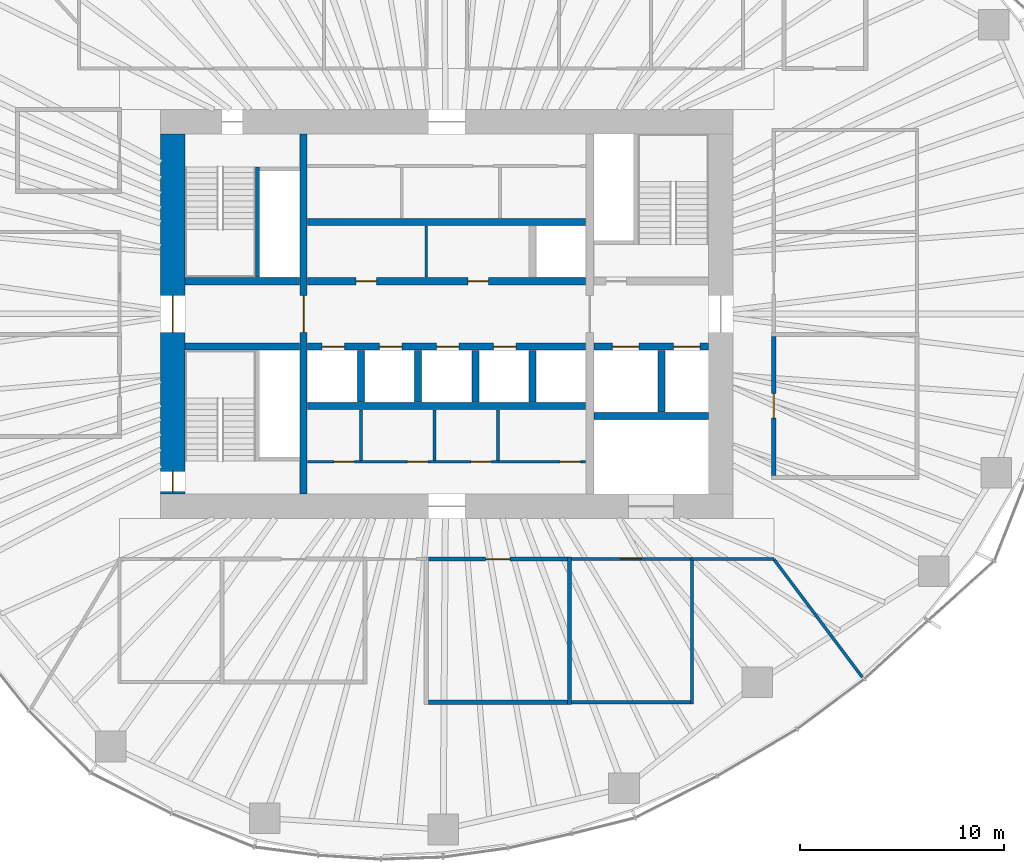
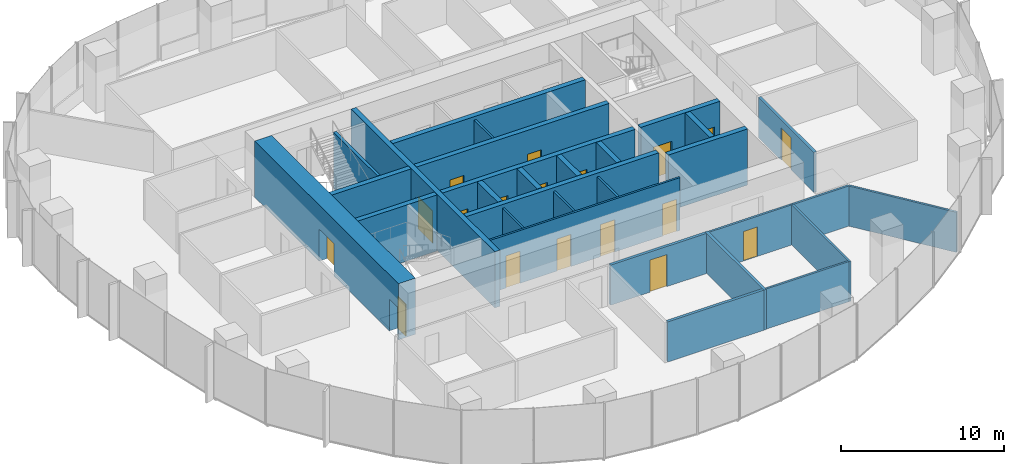
# One storey, part 9 of 18: 30 walls, 18 doors, 18 openings.
"""IFC4 building model written with IfcOpenShell, lengths in metres."""

from ifc_helpers import new_model, si_unit, direction, frame, frame_2d, origin, place, context, subcontext, project, spatial, rectangle, extrude, material, layer, layer_set, type_object, element, fill, save


model = new_model("IFC4")

# Units and contexts
model_context = context("Model", 3, precision=1e-05, world=origin(), true_north=direction((0.0, 1.0)))
body_context = subcontext(model_context, "Body", "Model", "MODEL_VIEW")
ifc_project = project(units=[si_unit("LENGTHUNIT", "METRE"), si_unit("AREAUNIT", "SQUARE_METRE"), si_unit("VOLUMEUNIT", "CUBIC_METRE"), si_unit("PLANEANGLEUNIT", "RADIAN"), si_unit("MASSUNIT", "GRAM", prefix="KILO")], contexts=[model_context])

# Site, building, storey
site_placement = place(None, origin())
site = spatial("IfcSite", under=ifc_project, at=site_placement, CompositionType="ELEMENT")
building_placement = place(site_placement, origin())
building = spatial("IfcBuilding", under=site, at=building_placement, Name="Ghaith Harvest Tower", CompositionType="ELEMENT")
storey_placement = place(building_placement, frame((0.0, 0.0, 117.60009765625)))
storey = spatial("IfcBuildingStorey", under=building, at=storey_placement, Name="L24", CompositionType="ELEMENT", Elevation=117.60009765625)

# Wall
ifc_material_1 = material(Name="Twin-stud gypsum board, acoustic", Category="gypsum")
ifc_layer_1 = layer(ifc_material_1, 0.199951171875)
ifc_layer_set_1 = layer_set([ifc_layer_1], Name="ACOUSTIC PARTITION 200")
wall_type_1 = type_object("IfcWallType", Name="ACOUSTIC PARTITION 200", PredefinedType="PARTITIONING", material=ifc_layer_set_1)
wall_1_placement = place(storey_placement, frame((6.0, -11.89990234375, 0.0), z_axis=(0.0, 0.0, 1.0), x_axis=(0.0, -1.0, 0.0)))
element("IfcWall", 1, at=wall_1_placement, inside=storey, type_object=wall_type_1, Name="Partition L24 row S4 cross wall 2", PredefinedType="PARTITIONING", context=body_context, shape_type="SweptSolid", body=[
    extrude(rectangle(XDim=7.2001953125, YDim=0.199951171875, at=frame_2d((3.60009765625, 0.0))), origin(), (0.0, 0.0, 1.0), 3.0),
])

# Wall, opening, door
wall_2_placement = place(storey_placement, frame((-0.89990234375, -12.0, 0.0), z_axis=(0.0, 0.0, 1.0), x_axis=(1.0, 0.0, 0.0)))
wall_2 = element("IfcWall", 2, at=wall_2_placement, inside=storey, type_object=wall_type_1, Name="Partition L24-08", PredefinedType="PARTITIONING", context=body_context, shape_type="SweptSolid", body=[
    extrude(rectangle(XDim=6.7998046875, YDim=0.199951171875, at=frame_2d((3.39990234375, 0.0))), origin(), (0.0, 0.0, 1.0), 3.0),
])
opening_1_placement = place(wall_2_placement, frame((2.800048828125, 0.0, 0.0)))
opening_1 = element("IfcOpeningElement", 3, at=opening_1_placement, cuts=wall_2, Name="Opening 24-033", PredefinedType="OPENING", context=body_context, shape_type="SweptSolid", body=[
    extrude(rectangle(XDim=1.199951171875, YDim=2.39990234375, at=frame_2d((0.60009765625, 1.199951171875))), frame((0.0, 0.10986328125, 0.0), z_axis=(0.0, -1.0, 0.0), x_axis=(1.0, 0.0, 0.0)), (0.0, 0.0, 1.0), 0.219970703125),
])
ifc_material_2 = material(Name="Timber door", Category="wood")
door_type_1 = type_object("IfcDoorType", Name="D11 GLAZED 1200x2400", OperationType="SINGLE_SWING_LEFT", PredefinedType="DOOR", material=ifc_material_2)
door_1_placement = place(opening_1_placement, origin())
door_1 = element("IfcDoor", 4, at=door_1_placement, inside=storey, type_object=door_type_1, Name="Meeting room door", OperationType="SINGLE_SWING_LEFT", OverallHeight=2.39990234375, OverallWidth=1.199951171875, PredefinedType="DOOR", context=body_context, shape_type="SweptSolid", body=[
    extrude(rectangle(XDim=1.199951171875, YDim=2.39990234375, at=frame_2d((0.60009765625, 1.199951171875))), frame((0.0, 0.02490234375, 0.0), z_axis=(0.0, -1.0, 0.0), x_axis=(1.0, 0.0, 0.0)), (0.0, 0.0, 1.0), 0.050048828125),
])
fill(opening_1, door_1)

# Wall
wall_3_placement = place(storey_placement, frame((-0.89990234375, -19.0, 0.0), z_axis=(0.0, 0.0, 1.0), x_axis=(1.0, 0.0, 0.0)))
element("IfcWall", 5, at=wall_3_placement, inside=storey, type_object=wall_type_1, Name="Partition L24-08", PredefinedType="PARTITIONING", context=body_context, shape_type="SweptSolid", body=[
    extrude(rectangle(XDim=6.7998046875, YDim=0.199951171875, at=frame_2d((3.39990234375, 0.0))), origin(), (0.0, 0.0, 1.0), 3.0),
])

# Wall, opening, door
wall_4_placement = place(storey_placement, frame((16.0, -7.89990234375, 0.0), z_axis=(0.0, 0.0, 1.0), x_axis=(0.0, 1.0, 0.0)))
wall_4 = element("IfcWall", 6, at=wall_4_placement, inside=storey, type_object=wall_type_1, Name="Partition L24-10", PredefinedType="PARTITIONING", context=body_context, shape_type="SweptSolid", body=[
    extrude(rectangle(XDim=6.7998046875, YDim=0.199951171875, at=frame_2d((3.39990234375, 0.0))), origin(), (0.0, 0.0, 1.0), 3.0),
])
opening_2_placement = place(wall_4_placement, frame((2.800048828125, 0.0, 0.0)))
opening_2 = element("IfcOpeningElement", 7, at=opening_2_placement, cuts=wall_4, Name="Opening 24-035", PredefinedType="OPENING", context=body_context, shape_type="SweptSolid", body=[
    extrude(rectangle(XDim=1.199951171875, YDim=2.39990234375, at=frame_2d((0.60009765625, 1.199951171875))), frame((0.0, 0.10986328125, 0.0), z_axis=(0.0, -1.0, 0.0), x_axis=(1.0, 0.0, 0.0)), (0.0, 0.0, 1.0), 0.219970703125),
])
door_2_placement = place(opening_2_placement, origin())
door_2 = element("IfcDoor", 8, at=door_2_placement, inside=storey, type_object=door_type_1, Name="Meeting room door", OperationType="SINGLE_SWING_LEFT", OverallHeight=2.39990234375, OverallWidth=1.199951171875, PredefinedType="DOOR", context=body_context, shape_type="SweptSolid", body=[
    extrude(rectangle(XDim=1.199951171875, YDim=2.39990234375, at=frame_2d((0.60009765625, 1.199951171875))), frame((0.0, 0.02490234375, 0.0), z_axis=(0.0, -1.0, 0.0), x_axis=(1.0, 0.0, 0.0)), (0.0, 0.0, 1.0), 0.050048828125),
])
fill(opening_2, door_2)

# Wall, openings, doors
ifc_material_3 = material(Name="Concrete blockwork, fair-faced", Category="masonry")
ifc_layer_2 = layer(ifc_material_3, 0.139892578125)
ifc_layer_set_2 = layer_set([ifc_layer_2], Name="CORE PARTITION 140")
wall_type_2 = type_object("IfcWallType", Name="CORE PARTITION 140", PredefinedType="PARTITIONING", material=ifc_layer_set_2)
wall_5_placement = place(storey_placement, frame((-6.800048828125, -7.22998046875, 0.0), z_axis=(0.0, 0.0, 1.0), x_axis=(1.0, 0.0, 0.0)))
wall_5 = element("IfcWall", 9, at=wall_5_placement, inside=storey, type_object=wall_type_2, Name="Core partition L24", PredefinedType="PARTITIONING", context=body_context, shape_type="SweptSolid", body=[
    extrude(rectangle(XDim=13.60009765625, YDim=0.139892578125, at=frame_2d((6.800048828125, 0.0))), origin(), (0.0, 0.0, 1.0), 3.949951171875),
])
opening_3_placement = place(wall_5_placement, frame((1.280029296875, 0.0, 0.0)))
opening_3 = element("IfcOpeningElement", 10, at=opening_3_placement, cuts=wall_5, Name="Opening 24-011", PredefinedType="OPENING", context=body_context, shape_type="SweptSolid", body=[
    extrude(rectangle(XDim=1.0, YDim=2.39990234375, at=frame_2d((0.5, 1.199951171875))), frame((0.0, 0.080078125, 0.0), z_axis=(0.0, -1.0, 0.0), x_axis=(1.0, 0.0, 0.0)), (0.0, 0.0, 1.0), 0.159912109375),
])
opening_4_placement = place(wall_5_placement, frame((4.8798828125, 0.0, 0.0)))
opening_4 = element("IfcOpeningElement", 11, at=opening_4_placement, cuts=wall_5, Name="Opening 24-012", PredefinedType="OPENING", context=body_context, shape_type="SweptSolid", body=[
    extrude(rectangle(XDim=1.0, YDim=2.39990234375, at=frame_2d((0.5, 1.199951171875))), frame((0.0, 0.080078125, 0.0), z_axis=(0.0, -1.0, 0.0), x_axis=(1.0, 0.0, 0.0)), (0.0, 0.0, 1.0), 0.159912109375),
])
opening_5_placement = place(wall_5_placement, frame((7.97998046875, 0.0, 0.0)))
opening_5 = element("IfcOpeningElement", 12, at=opening_5_placement, cuts=wall_5, Name="Opening 24-013", PredefinedType="OPENING", context=body_context, shape_type="SweptSolid", body=[
    extrude(rectangle(XDim=1.0, YDim=2.39990234375, at=frame_2d((0.5, 1.199951171875))), frame((0.0, 0.080078125, 0.0), z_axis=(0.0, -1.0, 0.0), x_axis=(1.0, 0.0, 0.0)), (0.0, 0.0, 1.0), 0.159912109375),
])
opening_6_placement = place(wall_5_placement, frame((12.35009765625, 0.0, 0.0)))
opening_6 = element("IfcOpeningElement", 13, at=opening_6_placement, cuts=wall_5, Name="Opening 24-014", PredefinedType="OPENING", context=body_context, shape_type="SweptSolid", body=[
    extrude(rectangle(XDim=1.0, YDim=2.39990234375, at=frame_2d((0.5, 1.199951171875))), frame((0.0, 0.080078125, 0.0), z_axis=(0.0, -1.0, 0.0), x_axis=(1.0, 0.0, 0.0)), (0.0, 0.0, 1.0), 0.159912109375),
])
ifc_material_4 = material(Name="Steel fire door", Category="steel")
door_type_2 = type_object("IfcDoorType", Name="D3 FD90 1000x2400", OperationType="SINGLE_SWING_LEFT", PredefinedType="DOOR", material=ifc_material_4)
door_3_placement = place(opening_3_placement, origin())
door_3 = element("IfcDoor", 14, at=door_3_placement, inside=storey, type_object=door_type_2, Name="Security room door", OperationType="SINGLE_SWING_LEFT", OverallHeight=2.39990234375, OverallWidth=1.0, PredefinedType="DOOR", context=body_context, shape_type="SweptSolid", body=[
    extrude(rectangle(XDim=1.0, YDim=2.39990234375, at=frame_2d((0.5, 1.199951171875))), frame((0.0, 0.02490234375, 0.0), z_axis=(0.0, -1.0, 0.0), x_axis=(1.0, 0.0, 0.0)), (0.0, 0.0, 1.0), 0.050048828125),
])
fill(opening_3, door_3)
door_4_placement = place(opening_4_placement, origin())
door_4 = element("IfcDoor", 15, at=door_4_placement, inside=storey, type_object=door_type_2, Name="Electrical room door", OperationType="SINGLE_SWING_LEFT", OverallHeight=2.39990234375, OverallWidth=1.0, PredefinedType="DOOR", context=body_context, shape_type="SweptSolid", body=[
    extrude(rectangle(XDim=1.0, YDim=2.39990234375, at=frame_2d((0.5, 1.199951171875))), frame((0.0, 0.02490234375, 0.0), z_axis=(0.0, -1.0, 0.0), x_axis=(1.0, 0.0, 0.0)), (0.0, 0.0, 1.0), 0.050048828125),
])
fill(opening_4, door_4)
door_5_placement = place(opening_5_placement, origin())
door_5 = element("IfcDoor", 16, at=door_5_placement, inside=storey, type_object=door_type_2, Name="Communications equipment room door", OperationType="SINGLE_SWING_RIGHT", OverallHeight=2.39990234375, OverallWidth=1.0, PredefinedType="DOOR", context=body_context, shape_type="SweptSolid", body=[
    extrude(rectangle(XDim=1.0, YDim=2.39990234375, at=frame_2d((0.5, 1.199951171875))), frame((0.0, 0.02490234375, 0.0), z_axis=(0.0, -1.0, 0.0), x_axis=(1.0, 0.0, 0.0)), (0.0, 0.0, 1.0), 0.050048828125),
])
fill(opening_5, door_5)
door_6_placement = place(opening_6_placement, origin())
door_6 = element("IfcDoor", 17, at=door_6_placement, inside=storey, type_object=door_type_2, Name="Riser room door", OperationType="SINGLE_SWING_RIGHT", OverallHeight=2.39990234375, OverallWidth=1.0, PredefinedType="DOOR", context=body_context, shape_type="SweptSolid", body=[
    extrude(rectangle(XDim=1.0, YDim=2.39990234375, at=frame_2d((0.5, 1.199951171875))), frame((0.0, 0.02490234375, 0.0), z_axis=(0.0, -1.0, 0.0), x_axis=(1.0, 0.0, 0.0)), (0.0, 0.0, 1.0), 0.050048828125),
])
fill(opening_6, door_6)

# Walls
for number, where, z_axis, x_axis, name in (
    (18, (-4.199951171875, -4.699951171875, 0.0), (0.0, 0.0, 1.0), (0.0, -1.0, 0.0), "Core partition L24"),
    (19, (-0.60009765625, -4.699951171875, 0.0), (0.0, 0.0, 1.0), (0.0, -1.0, 0.0), "Core partition L24"),
    (20, (2.5, -4.699951171875, 0.0), (0.0, 0.0, 1.0), (0.0, -1.0, 0.0), "Core partition L24"),
):
    element("IfcWall", number, at=place(storey_placement, frame(where, z_axis=z_axis, x_axis=x_axis)), inside=storey, type_object=wall_type_2, Name=name, PredefinedType="PARTITIONING", context=body_context, shape_type="SweptSolid", body=[
        extrude(rectangle(XDim=2.4599609375, YDim=0.139892578125, at=frame_2d((1.22998046875, 0.0))), origin(), (0.0, 0.0, 1.0), 3.949951171875),
    ])
wall_6_placement = place(storey_placement, frame((-1.0, 1.800048828125, 0.0), z_axis=(0.0, 0.0, 1.0), x_axis=(0.0, 1.0, 0.0)))
element("IfcWall", 21, at=wall_6_placement, inside=storey, type_object=wall_type_2, Name="Core partition L24", PredefinedType="PARTITIONING", context=body_context, shape_type="SweptSolid", body=[
    extrude(rectangle(XDim=2.5, YDim=0.139892578125, at=frame_2d((1.25, 0.0))), origin(), (0.0, 0.0, 1.0), 3.949951171875),
])

# Wall, openings, doors
ifc_material_5 = material(Name="Concrete C60/75", Category="concrete")
ifc_layer_3 = layer(ifc_material_5, 1.199951171875)
ifc_layer_set_3 = layer_set([ifc_layer_3], Name="CORE WALL CW1200 C60")
wall_type_3 = type_object("IfcWallType", Name="CORE WALL CW1200 C60", PredefinedType="SHEAR", material=ifc_layer_set_3)
wall_7_placement = place(storey_placement, frame((-13.39990234375, 8.800048828125, 0.0), z_axis=(0.0, 0.0, 1.0), x_axis=(0.0, -1.0, 0.0)))
wall_7 = element("IfcWall", 22, at=wall_7_placement, inside=storey, type_object=wall_type_3, Name="Core wall W L24", PredefinedType="SHEAR", context=body_context, shape_type="SweptSolid", body=[
    extrude(rectangle(XDim=17.60009765625, YDim=1.199951171875, at=frame_2d((8.800048828125, 0.0))), origin(), (0.0, 0.0, 1.0), 4.199951171875),
])
opening_7_placement = place(wall_7_placement, frame((7.89990234375, 0.0, 0.0)))
opening_7 = element("IfcOpeningElement", 23, at=opening_7_placement, cuts=wall_7, Name="Opening 24-001", PredefinedType="OPENING", context=body_context, shape_type="SweptSolid", body=[
    extrude(rectangle(XDim=1.800048828125, YDim=2.39990234375, at=frame_2d((0.89990234375, 1.199951171875))), frame((0.0, 0.60986328125, 0.0), z_axis=(0.0, -1.0, 0.0), x_axis=(1.0, 0.0, 0.0)), (0.0, 0.0, 1.0), 1.219970703125),
])
opening_8_placement = place(wall_7_placement, frame((16.5, 0.0, 0.0)))
opening_8 = element("IfcOpeningElement", 24, at=opening_8_placement, cuts=wall_7, Name="Opening 24-006", PredefinedType="OPENING", context=body_context, shape_type="SweptSolid", body=[
    extrude(rectangle(XDim=1.0, YDim=2.39990234375, at=frame_2d((0.5, 1.199951171875))), frame((0.0, 0.60986328125, 0.0), z_axis=(0.0, -1.0, 0.0), x_axis=(1.0, 0.0, 0.0)), (0.0, 0.0, 1.0), 1.219970703125),
])
door_7_placement = place(opening_8_placement, origin())
door_7 = element("IfcDoor", 25, at=door_7_placement, inside=storey, type_object=door_type_2, Name="Stair ST3 door", OperationType="SINGLE_SWING_RIGHT", OverallHeight=2.39990234375, OverallWidth=1.0, PredefinedType="DOOR", context=body_context, shape_type="SweptSolid", body=[
    extrude(rectangle(XDim=1.0, YDim=2.39990234375, at=frame_2d((0.5, 1.199951171875))), frame((0.0, 0.02490234375, 0.0), z_axis=(0.0, -1.0, 0.0), x_axis=(1.0, 0.0, 0.0)), (0.0, 0.0, 1.0), 0.050048828125),
])
fill(opening_8, door_7)
ifc_material_6 = material(Name="Steel fire door", Category="steel")
door_type_3 = type_object("IfcDoorType", Name="D4 FD90 PAIR 1800x2400", OperationType="DOUBLE_DOOR_SINGLE_SWING", PredefinedType="DOOR", material=ifc_material_6)
door_8_placement = place(opening_7_placement, origin())
door_8 = element("IfcDoor", 26, at=door_8_placement, inside=storey, type_object=door_type_3, Name="West lobby doors", OperationType="DOUBLE_DOOR_SINGLE_SWING", OverallHeight=2.39990234375, OverallWidth=1.800048828125, PredefinedType="DOOR", context=body_context, shape_type="SweptSolid", body=[
    extrude(rectangle(XDim=1.800048828125, YDim=2.39990234375, at=frame_2d((0.89990234375, 1.199951171875))), frame((0.0, 0.02490234375, 0.0), z_axis=(0.0, -1.0, 0.0), x_axis=(1.0, 0.0, 0.0)), (0.0, 0.0, 1.0), 0.050048828125),
])
fill(opening_7, door_8)

# Wall
ifc_material_7 = material(Name="Gypsum board on steel studs", Category="steel")
ifc_layer_4 = layer(ifc_material_7, 0.14990234375)
ifc_layer_set_4 = layer_set([ifc_layer_4], Name="PARTITION 150")
wall_type_4 = type_object("IfcWallType", Name="PARTITION 150", PredefinedType="PARTITIONING", material=ifc_layer_set_4)
wall_8_placement = place(storey_placement, frame((12.0, -11.925048828125, 0.0), z_axis=(0.0, 0.0, 1.0), x_axis=(0.0, -1.0, 0.0)))
element("IfcWall", 27, at=wall_8_placement, inside=storey, type_object=wall_type_4, Name="Partition L24 row S4 cross wall 3", PredefinedType="PARTITIONING", context=body_context, shape_type="SweptSolid", body=[
    extrude(rectangle(XDim=7.14990234375, YDim=0.14990234375, at=frame_2d((3.574951171875, 0.0))), origin(), (0.0, 0.0, 1.0), 3.0),
])

# Wall, opening, door
wall_9_placement = place(storey_placement, frame((6.10009765625, -12.0, 0.0), z_axis=(0.0, 0.0, 1.0), x_axis=(1.0, 0.0, 0.0)))
wall_9 = element("IfcWall", 28, at=wall_9_placement, inside=storey, type_object=wall_type_4, Name="Partition L24-09", PredefinedType="PARTITIONING", context=body_context, shape_type="SweptSolid", body=[
    extrude(rectangle(XDim=5.824951171875, YDim=0.14990234375, at=frame_2d((2.91259765625, 0.0))), origin(), (0.0, 0.0, 1.0), 3.0),
])
opening_9_placement = place(wall_9_placement, frame((2.41259765625, 0.0, 0.0)))
opening_9 = element("IfcOpeningElement", 29, at=opening_9_placement, cuts=wall_9, Name="Opening 24-034", PredefinedType="OPENING", context=body_context, shape_type="SweptSolid", body=[
    extrude(rectangle(XDim=1.0, YDim=2.199951171875, at=frame_2d((0.5, 1.10009765625))), frame((0.0, 0.0849609375, 0.0), z_axis=(0.0, -1.0, 0.0), x_axis=(1.0, 0.0, 0.0)), (0.0, 0.0, 1.0), 0.169921875),
])
ifc_material_8 = material(Name="Timber door", Category="wood")
door_type_4 = type_object("IfcDoorType", Name="D1 SINGLE 1000x2200", OperationType="SINGLE_SWING_LEFT", PredefinedType="DOOR", material=ifc_material_8)
door_9_placement = place(opening_9_placement, origin())
door_9 = element("IfcDoor", 30, at=door_9_placement, inside=storey, type_object=door_type_4, Name="Pantry door", OperationType="SINGLE_SWING_LEFT", OverallHeight=2.199951171875, OverallWidth=1.0, PredefinedType="DOOR", context=body_context, shape_type="SweptSolid", body=[
    extrude(rectangle(XDim=1.0, YDim=2.199951171875, at=frame_2d((0.5, 1.10009765625))), frame((0.0, 0.02490234375, 0.0), z_axis=(0.0, -1.0, 0.0), x_axis=(1.0, 0.0, 0.0)), (0.0, 0.0, 1.0), 0.050048828125),
])
fill(opening_9, door_9)

# Walls
wall_10_placement = place(storey_placement, frame((6.10009765625, -19.0, 0.0), z_axis=(0.0, 0.0, 1.0), x_axis=(1.0, 0.0, 0.0)))
element("IfcWall", 31, at=wall_10_placement, inside=storey, type_object=wall_type_4, Name="Partition L24-09", PredefinedType="PARTITIONING", context=body_context, shape_type="SweptSolid", body=[
    extrude(rectangle(XDim=5.824951171875, YDim=0.14990234375, at=frame_2d((2.91259765625, 0.0))), origin(), (0.0, 0.0, 1.0), 3.0),
])
wall_11_placement = place(storey_placement, frame((16.011962890625, -12.01611328125, 0.0), z_axis=(0.0, 0.0, 1.0), x_axis=(0.600059749679, -0.799955184254, 0.0)))
element("IfcWall", 32, at=wall_11_placement, inside=storey, type_object=wall_type_4, Name="Partition L24 zone division", PredefinedType="PARTITIONING", context=body_context, shape_type="SweptSolid", body=[
    extrude(rectangle(XDim=7.191162109375, YDim=0.14990234375, at=frame_2d((3.595703125, 0.0))), origin(), (0.0, 0.0, 1.0), 3.0),
])
wall_12_placement = place(storey_placement, frame((12.0, -12.0, 0.0), z_axis=(0.0, 0.0, 1.0), x_axis=(1.0, 0.0, 0.0)))
element("IfcWall", 33, at=wall_12_placement, inside=storey, type_object=wall_type_4, Name="Partition L24 zone enclosure", PredefinedType="PARTITIONING", context=body_context, shape_type="SweptSolid", body=[
    extrude(rectangle(XDim=4.0, YDim=0.14990234375, at=frame_2d((2.0, 0.0))), origin(), (0.0, 0.0, 1.0), 3.0),
])

# Wall, opening, door
ifc_material_9 = material(Name="Concrete C60/75", Category="concrete")
ifc_layer_5 = layer(ifc_material_9, 0.35009765625)
ifc_layer_set_5 = layer_set([ifc_layer_5], Name="SHAFT WALL 350")
wall_type_5 = type_object("IfcWallType", Name="SHAFT WALL 350", PredefinedType="SHEAR", material=ifc_layer_set_5)
wall_13_placement = place(storey_placement, frame((-7.0, -8.800048828125, 0.0), z_axis=(0.0, 0.0, 1.0), x_axis=(0.0, 1.0, 0.0)))
wall_13 = element("IfcWall", 34, at=wall_13_placement, inside=storey, type_object=wall_type_5, Name="Shaft wall W7W L24", PredefinedType="SHEAR", context=body_context, shape_type="SweptSolid", body=[
    extrude(rectangle(XDim=17.60009765625, YDim=0.35009765625, at=frame_2d((8.800048828125, 0.0))), origin(), (0.0, 0.0, 1.0), 4.199951171875),
])
opening_10_placement = place(wall_13_placement, frame((7.89990234375, 0.0, 0.0)))
opening_10 = element("IfcOpeningElement", 35, at=opening_10_placement, cuts=wall_13, Name="Opening 24-003", PredefinedType="OPENING", context=body_context, shape_type="SweptSolid", body=[
    extrude(rectangle(XDim=1.800048828125, YDim=2.39990234375, at=frame_2d((0.89990234375, 1.199951171875))), frame((0.0, 0.18505859375, 0.0), z_axis=(0.0, -1.0, 0.0), x_axis=(1.0, 0.0, 0.0)), (0.0, 0.0, 1.0), 0.3701171875),
])
door_10_placement = place(opening_10_placement, origin())
door_10 = element("IfcDoor", 36, at=door_10_placement, inside=storey, type_object=door_type_3, Name="Lift lobby doors, west", OperationType="DOUBLE_DOOR_SINGLE_SWING", OverallHeight=2.39990234375, OverallWidth=1.800048828125, PredefinedType="DOOR", context=body_context, shape_type="SweptSolid", body=[
    extrude(rectangle(XDim=1.800048828125, YDim=2.39990234375, at=frame_2d((0.89990234375, 1.199951171875))), frame((0.0, 0.02490234375, 0.0), z_axis=(0.0, -1.0, 0.0), x_axis=(1.0, 0.0, 0.0)), (0.0, 0.0, 1.0), 0.050048828125),
])
fill(opening_10, door_10)

# Wall, openings, doors
wall_14_placement = place(storey_placement, frame((-6.800048828125, 1.60009765625, 0.0), z_axis=(0.0, 0.0, 1.0), x_axis=(1.0, 0.0, 0.0)))
wall_14 = element("IfcWall", 37, at=wall_14_placement, inside=storey, type_object=wall_type_5, Name="Shaft wall LN L24", PredefinedType="SHEAR", context=body_context, shape_type="SweptSolid", body=[
    extrude(rectangle(XDim=13.60009765625, YDim=0.35009765625, at=frame_2d((6.800048828125, 0.0))), origin(), (0.0, 0.0, 1.0), 4.199951171875),
])
opening_11_placement = place(wall_14_placement, frame((2.364990234375, 0.0, 0.0)))
opening_11 = element("IfcOpeningElement", 38, at=opening_11_placement, cuts=wall_14, Name="Opening 24-015", PredefinedType="OPENING", context=body_context, shape_type="SweptSolid", body=[
    extrude(rectangle(XDim=1.0, YDim=2.39990234375, at=frame_2d((0.5, 1.199951171875))), frame((0.0, 0.18505859375, 0.0), z_axis=(0.0, -1.0, 0.0), x_axis=(1.0, 0.0, 0.0)), (0.0, 0.0, 1.0), 0.3701171875),
])
opening_12_placement = place(wall_14_placement, frame((7.8349609375, 0.0, 0.0)))
opening_12 = element("IfcOpeningElement", 39, at=opening_12_placement, cuts=wall_14, Name="Opening 24-016", PredefinedType="OPENING", context=body_context, shape_type="SweptSolid", body=[
    extrude(rectangle(XDim=1.0, YDim=2.39990234375, at=frame_2d((0.5, 1.199951171875))), frame((0.0, 0.18505859375, 0.0), z_axis=(0.0, -1.0, 0.0), x_axis=(1.0, 0.0, 0.0)), (0.0, 0.0, 1.0), 0.3701171875),
])
door_11_placement = place(opening_11_placement, origin())
door_11 = element("IfcDoor", 40, at=door_11_placement, inside=storey, type_object=door_type_2, Name="First aid room door", OperationType="SINGLE_SWING_LEFT", OverallHeight=2.39990234375, OverallWidth=1.0, PredefinedType="DOOR", context=body_context, shape_type="SweptSolid", body=[
    extrude(rectangle(XDim=1.0, YDim=2.39990234375, at=frame_2d((0.5, 1.199951171875))), frame((0.0, 0.02490234375, 0.0), z_axis=(0.0, -1.0, 0.0), x_axis=(1.0, 0.0, 0.0)), (0.0, 0.0, 1.0), 0.050048828125),
])
fill(opening_11, door_11)
door_12_placement = place(opening_12_placement, origin())
door_12 = element("IfcDoor", 41, at=door_12_placement, inside=storey, type_object=door_type_2, Name="Tea point door", OperationType="SINGLE_SWING_RIGHT", OverallHeight=2.39990234375, OverallWidth=1.0, PredefinedType="DOOR", context=body_context, shape_type="SweptSolid", body=[
    extrude(rectangle(XDim=1.0, YDim=2.39990234375, at=frame_2d((0.5, 1.199951171875))), frame((0.0, 0.02490234375, 0.0), z_axis=(0.0, -1.0, 0.0), x_axis=(1.0, 0.0, 0.0)), (0.0, 0.0, 1.0), 0.050048828125),
])
fill(opening_12, door_12)

wall_15_placement = place(storey_placement, frame((-6.800048828125, -1.60009765625, 0.0), z_axis=(0.0, 0.0, 1.0), x_axis=(1.0, 0.0, 0.0)))
wall_15 = element("IfcWall", 42, at=wall_15_placement, inside=storey, type_object=wall_type_5, Name="Shaft wall LS L24", PredefinedType="SHEAR", context=body_context, shape_type="SweptSolid", body=[
    extrude(rectangle(XDim=13.60009765625, YDim=0.35009765625, at=frame_2d((6.800048828125, 0.0))), origin(), (0.0, 0.0, 1.0), 4.199951171875),
])
opening_13_placement = place(wall_15_placement, frame((0.699951171875, 0.0, 0.0)))
opening_13 = element("IfcOpeningElement", 43, at=opening_13_placement, cuts=wall_15, Name="Opening 24-019", PredefinedType="OPENING", context=body_context, shape_type="SweptSolid", body=[
    extrude(rectangle(XDim=1.10009765625, YDim=2.39990234375, at=frame_2d((0.550048828125, 1.199951171875))), frame((0.0, 0.18505859375, 0.0), z_axis=(0.0, -1.0, 0.0), x_axis=(1.0, 0.0, 0.0)), (0.0, 0.0, 1.0), 0.3701171875),
])
opening_14_placement = place(wall_15_placement, frame((3.5, 0.0, 0.0)))
opening_14 = element("IfcOpeningElement", 44, at=opening_14_placement, cuts=wall_15, Name="Opening 24-020", PredefinedType="OPENING", context=body_context, shape_type="SweptSolid", body=[
    extrude(rectangle(XDim=1.10009765625, YDim=2.39990234375, at=frame_2d((0.550048828125, 1.199951171875))), frame((0.0, 0.18505859375, 0.0), z_axis=(0.0, -1.0, 0.0), x_axis=(1.0, 0.0, 0.0)), (0.0, 0.0, 1.0), 0.3701171875),
])
opening_15_placement = place(wall_15_placement, frame((6.300048828125, 0.0, 0.0)))
opening_15 = element("IfcOpeningElement", 45, at=opening_15_placement, cuts=wall_15, Name="Opening 24-021", PredefinedType="OPENING", context=body_context, shape_type="SweptSolid", body=[
    extrude(rectangle(XDim=1.10009765625, YDim=2.39990234375, at=frame_2d((0.550048828125, 1.199951171875))), frame((0.0, 0.18505859375, 0.0), z_axis=(0.0, -1.0, 0.0), x_axis=(1.0, 0.0, 0.0)), (0.0, 0.0, 1.0), 0.3701171875),
])
opening_16_placement = place(wall_15_placement, frame((9.10009765625, 0.0, 0.0)))
opening_16 = element("IfcOpeningElement", 46, at=opening_16_placement, cuts=wall_15, Name="Opening 24-022", PredefinedType="OPENING", context=body_context, shape_type="SweptSolid", body=[
    extrude(rectangle(XDim=1.10009765625, YDim=2.39990234375, at=frame_2d((0.550048828125, 1.199951171875))), frame((0.0, 0.18505859375, 0.0), z_axis=(0.0, -1.0, 0.0), x_axis=(1.0, 0.0, 0.0)), (0.0, 0.0, 1.0), 0.3701171875),
])
ifc_material_10 = material(Name="Steel fire door", Category="steel")
door_type_5 = type_object("IfcDoorType", Name="LD1 LANDING 1100x2400", OperationType="DOUBLE_DOOR_SLIDING", PredefinedType="DOOR", material=ifc_material_10)
door_13_placement = place(opening_13_placement, origin())
door_13 = element("IfcDoor", 47, at=door_13_placement, inside=storey, type_object=door_type_5, Name="Landing door, lift LR1", OperationType="DOUBLE_DOOR_SLIDING", OverallHeight=2.39990234375, OverallWidth=1.10009765625, PredefinedType="DOOR", context=body_context, shape_type="SweptSolid", body=[
    extrude(rectangle(XDim=1.10009765625, YDim=2.39990234375, at=frame_2d((0.550048828125, 1.199951171875))), frame((0.0, 0.02490234375, 0.0), z_axis=(0.0, -1.0, 0.0), x_axis=(1.0, 0.0, 0.0)), (0.0, 0.0, 1.0), 0.050048828125),
])
fill(opening_13, door_13)
door_14_placement = place(opening_14_placement, origin())
door_14 = element("IfcDoor", 48, at=door_14_placement, inside=storey, type_object=door_type_5, Name="Landing door, lift LR2", OperationType="DOUBLE_DOOR_SLIDING", OverallHeight=2.39990234375, OverallWidth=1.10009765625, PredefinedType="DOOR", context=body_context, shape_type="SweptSolid", body=[
    extrude(rectangle(XDim=1.10009765625, YDim=2.39990234375, at=frame_2d((0.550048828125, 1.199951171875))), frame((0.0, 0.02490234375, 0.0), z_axis=(0.0, -1.0, 0.0), x_axis=(1.0, 0.0, 0.0)), (0.0, 0.0, 1.0), 0.050048828125),
])
fill(opening_14, door_14)
door_15_placement = place(opening_15_placement, origin())
door_15 = element("IfcDoor", 49, at=door_15_placement, inside=storey, type_object=door_type_5, Name="Landing door, lift LR3", OperationType="DOUBLE_DOOR_SLIDING", OverallHeight=2.39990234375, OverallWidth=1.10009765625, PredefinedType="DOOR", context=body_context, shape_type="SweptSolid", body=[
    extrude(rectangle(XDim=1.10009765625, YDim=2.39990234375, at=frame_2d((0.550048828125, 1.199951171875))), frame((0.0, 0.02490234375, 0.0), z_axis=(0.0, -1.0, 0.0), x_axis=(1.0, 0.0, 0.0)), (0.0, 0.0, 1.0), 0.050048828125),
])
fill(opening_15, door_15)
door_16_placement = place(opening_16_placement, origin())
door_16 = element("IfcDoor", 50, at=door_16_placement, inside=storey, type_object=door_type_5, Name="Landing door, lift LR4", OperationType="DOUBLE_DOOR_SLIDING", OverallHeight=2.39990234375, OverallWidth=1.10009765625, PredefinedType="DOOR", context=body_context, shape_type="SweptSolid", body=[
    extrude(rectangle(XDim=1.10009765625, YDim=2.39990234375, at=frame_2d((0.550048828125, 1.199951171875))), frame((0.0, 0.02490234375, 0.0), z_axis=(0.0, -1.0, 0.0), x_axis=(1.0, 0.0, 0.0)), (0.0, 0.0, 1.0), 0.050048828125),
])
fill(opening_16, door_16)

# Walls
for number, where, z_axis, x_axis, name in (
    (51, (-6.800048828125, 4.5, 0.0), (0.0, 0.0, 1.0), (1.0, 0.0, 0.0), "Shaft wall BN L24"),
    (52, (-6.800048828125, -4.5, 0.0), (0.0, 0.0, 1.0), (1.0, 0.0, 0.0), "Shaft wall BS L24"),
):
    element("IfcWall", number, at=place(storey_placement, frame(where, z_axis=z_axis, x_axis=x_axis)), inside=storey, type_object=wall_type_5, Name=name, PredefinedType="SHEAR", context=body_context, shape_type="SweptSolid", body=[
        extrude(rectangle(XDim=13.60009765625, YDim=0.35009765625, at=frame_2d((6.800048828125, 0.0))), origin(), (0.0, 0.0, 1.0), 4.199951171875),
    ])
for number, where, z_axis, x_axis, name in (
    (53, (-12.800048828125, 1.60009765625, 0.0), (0.0, 0.0, 1.0), (1.0, 0.0, 0.0), "Shaft wall WN L24"),
    (54, (-12.800048828125, -1.60009765625, 0.0), (0.0, 0.0, 1.0), (1.0, 0.0, 0.0), "Shaft wall WS L24"),
):
    element("IfcWall", number, at=place(storey_placement, frame(where, z_axis=z_axis, x_axis=x_axis)), inside=storey, type_object=wall_type_5, Name=name, PredefinedType="SHEAR", context=body_context, shape_type="SweptSolid", body=[
        extrude(rectangle(XDim=5.60009765625, YDim=0.35009765625, at=frame_2d((2.800048828125, 0.0))), origin(), (0.0, 0.0, 1.0), 4.199951171875),
    ])

# Wall, openings, doors
wall_16_placement = place(storey_placement, frame((7.199951171875, -1.60009765625, 0.0), z_axis=(0.0, 0.0, 1.0), x_axis=(1.0, 0.0, 0.0)))
wall_16 = element("IfcWall", 55, at=wall_16_placement, inside=storey, type_object=wall_type_5, Name="Shaft wall ES L24", PredefinedType="SHEAR", context=body_context, shape_type="SweptSolid", body=[
    extrude(rectangle(XDim=5.60009765625, YDim=0.35009765625, at=frame_2d((2.800048828125, 0.0))), origin(), (0.0, 0.0, 1.0), 4.199951171875),
])
opening_17_placement = place(wall_16_placement, frame((0.89990234375, 0.0, 0.0)))
opening_17 = element("IfcOpeningElement", 56, at=opening_17_placement, cuts=wall_16, Name="Opening 24-023", PredefinedType="OPENING", context=body_context, shape_type="SweptSolid", body=[
    extrude(rectangle(XDim=1.300048828125, YDim=2.39990234375, at=frame_2d((0.64990234375, 1.199951171875))), frame((0.0, 0.18505859375, 0.0), z_axis=(0.0, -1.0, 0.0), x_axis=(1.0, 0.0, 0.0)), (0.0, 0.0, 1.0), 0.3701171875),
])
opening_18_placement = place(wall_16_placement, frame((3.89990234375, 0.0, 0.0)))
opening_18 = element("IfcOpeningElement", 57, at=opening_18_placement, cuts=wall_16, Name="Opening 24-024", PredefinedType="OPENING", context=body_context, shape_type="SweptSolid", body=[
    extrude(rectangle(XDim=1.300048828125, YDim=2.39990234375, at=frame_2d((0.64990234375, 1.199951171875))), frame((0.0, 0.18505859375, 0.0), z_axis=(0.0, -1.0, 0.0), x_axis=(1.0, 0.0, 0.0)), (0.0, 0.0, 1.0), 0.3701171875),
])
ifc_material_11 = material(Name="Steel fire door", Category="steel")
door_type_6 = type_object("IfcDoorType", Name="LD2 LANDING 1300x2400", OperationType="DOUBLE_DOOR_SLIDING", PredefinedType="DOOR", material=ifc_material_11)
door_17_placement = place(opening_17_placement, origin())
door_17 = element("IfcDoor", 58, at=door_17_placement, inside=storey, type_object=door_type_6, Name="Landing door, fire service lift FL1", OperationType="DOUBLE_DOOR_SLIDING", OverallHeight=2.39990234375, OverallWidth=1.300048828125, PredefinedType="DOOR", context=body_context, shape_type="SweptSolid", body=[
    extrude(rectangle(XDim=1.300048828125, YDim=2.39990234375, at=frame_2d((0.64990234375, 1.199951171875))), frame((0.0, 0.02490234375, 0.0), z_axis=(0.0, -1.0, 0.0), x_axis=(1.0, 0.0, 0.0)), (0.0, 0.0, 1.0), 0.050048828125),
])
fill(opening_17, door_17)
door_18_placement = place(opening_18_placement, origin())
door_18 = element("IfcDoor", 59, at=door_18_placement, inside=storey, type_object=door_type_6, Name="Landing door, fire service lift FL2", OperationType="DOUBLE_DOOR_SLIDING", OverallHeight=2.39990234375, OverallWidth=1.300048828125, PredefinedType="DOOR", context=body_context, shape_type="SweptSolid", body=[
    extrude(rectangle(XDim=1.300048828125, YDim=2.39990234375, at=frame_2d((0.64990234375, 1.199951171875))), frame((0.0, 0.02490234375, 0.0), z_axis=(0.0, -1.0, 0.0), x_axis=(1.0, 0.0, 0.0)), (0.0, 0.0, 1.0), 0.050048828125),
])
fill(opening_18, door_18)

# Walls
wall_17_placement = place(storey_placement, frame((10.5, -4.800048828125, 0.0), z_axis=(0.0, 0.0, 1.0), x_axis=(0.0, 1.0, 0.0)))
element("IfcWall", 60, at=wall_17_placement, inside=storey, type_object=wall_type_5, Name="Shaft wall FLD L24", PredefinedType="SHEAR", context=body_context, shape_type="SweptSolid", body=[
    extrude(rectangle(XDim=3.0, YDim=0.35009765625, at=frame_2d((1.5, 0.0))), origin(), (0.0, 0.0, 1.0), 4.199951171875),
])
wall_18_placement = place(storey_placement, frame((7.199951171875, -5.0, 0.0), z_axis=(0.0, 0.0, 1.0), x_axis=(1.0, 0.0, 0.0)))
element("IfcWall", 61, at=wall_18_placement, inside=storey, type_object=wall_type_5, Name="Shaft wall FLB L24", PredefinedType="SHEAR", context=body_context, shape_type="SweptSolid", body=[
    extrude(rectangle(XDim=5.60009765625, YDim=0.35009765625, at=frame_2d((2.800048828125, 0.0))), origin(), (0.0, 0.0, 1.0), 4.199951171875),
])
for number, where, z_axis, x_axis, name in (
    (62, (-4.199951171875, -4.300048828125, 0.0), (0.0, 0.0, 1.0), (0.0, 1.0, 0.0), "Shaft wall DS1 L24"),
    (63, (-1.39990234375, -4.300048828125, 0.0), (0.0, 0.0, 1.0), (0.0, 1.0, 0.0), "Shaft wall DS2 L24"),
    (64, (1.39990234375, -4.300048828125, 0.0), (0.0, 0.0, 1.0), (0.0, 1.0, 0.0), "Shaft wall DS3 L24"),
    (65, (4.199951171875, -4.300048828125, 0.0), (0.0, 0.0, 1.0), (0.0, 1.0, 0.0), "Shaft wall DS4 L24"),
):
    element("IfcWall", number, at=place(storey_placement, frame(where, z_axis=z_axis, x_axis=x_axis)), inside=storey, type_object=wall_type_5, Name=name, PredefinedType="SHEAR", context=body_context, shape_type="SweptSolid", body=[
        extrude(rectangle(XDim=2.5, YDim=0.35009765625, at=frame_2d((1.25, 0.0))), origin(), (0.0, 0.0, 1.0), 4.199951171875),
    ])
ifc_material_12 = material(Name="Concrete C40/50", Category="concrete")
ifc_layer_6 = layer(ifc_material_12, 0.199951171875)
ifc_layer_set_6 = layer_set([ifc_layer_6], Name="STAIR SPINE WALL RC200")
wall_type_6 = type_object("IfcWallType", Name="STAIR SPINE WALL RC200", PredefinedType="SOLIDWALL", material=ifc_layer_set_6)
wall_19_placement = place(storey_placement, frame((-9.25, 7.199951171875, 0.0), z_axis=(0.0, 0.0, 1.0), x_axis=(0.0, -1.0, 0.0)))
element("IfcWall", 66, at=wall_19_placement, inside=storey, type_object=wall_type_6, Name="Stair ST1 spine wall L24", PredefinedType="SOLIDWALL", context=body_context, shape_type="SweptSolid", body=[
    extrude(rectangle(XDim=5.39990234375, YDim=0.199951171875, at=frame_2d((2.699951171875, 0.0))), origin(), (0.0, 0.0, 1.0), 4.199951171875),
])

save(model, "model.ifc")
